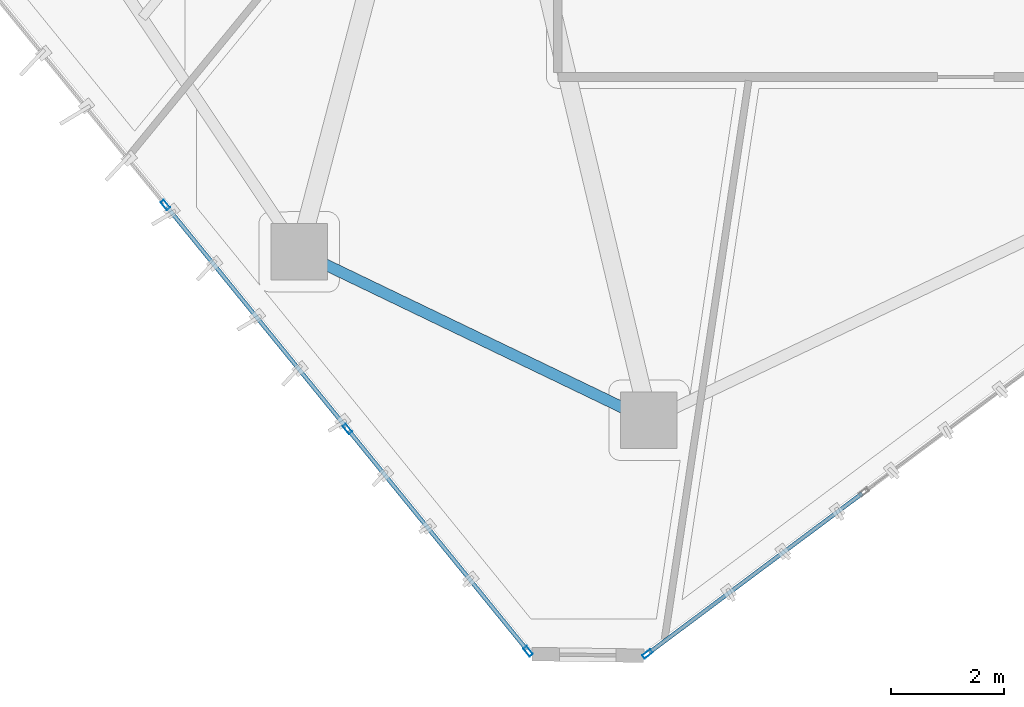
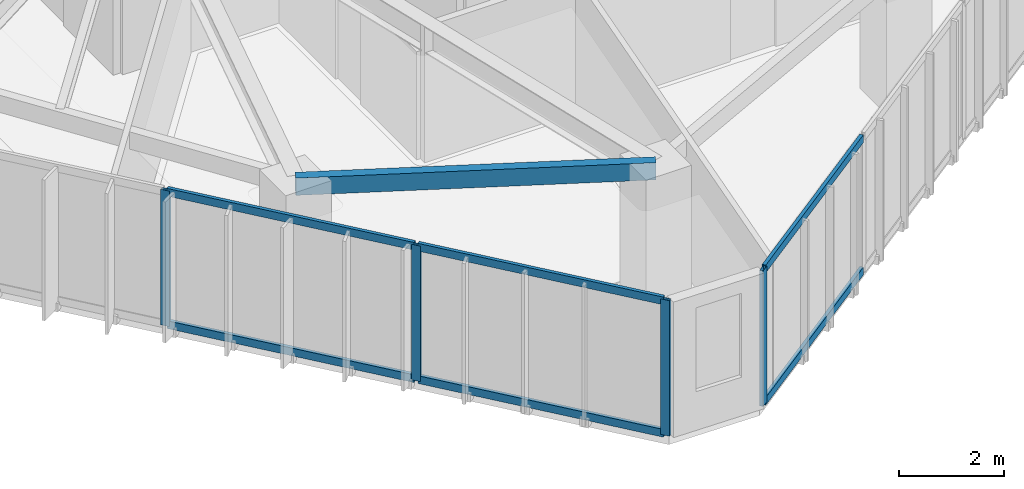
# One storey, part 2 of 20: 10 members, 1 beam, 2 elements without a shape of their own.
"""IFC4 building model written with IfcOpenShell, lengths in metres."""

from ifc_helpers import new_model, si_unit, direction, frame, origin, origin_2d, place, context, subcontext, project, spatial, hollow_rectangle, extrude, source, transform, mapped, material, layer, layer_set, material_profile, profile_set, type_object, type_shapes, element, aggregate, save


model = new_model("IFC4")

# Units and contexts
model_context = context("Model", 3, precision=1e-05, world=origin(), true_north=direction((0.0, 1.0)))
body_context = subcontext(model_context, "Body", "Model", "MODEL_VIEW")
ifc_project = project(units=[si_unit("LENGTHUNIT", "METRE"), si_unit("AREAUNIT", "SQUARE_METRE"), si_unit("VOLUMEUNIT", "CUBIC_METRE"), si_unit("PLANEANGLEUNIT", "RADIAN"), si_unit("MASSUNIT", "GRAM", prefix="KILO")], contexts=[model_context])

# Site, building, storey
site_placement = place(None, origin())
site = spatial("IfcSite", under=ifc_project, at=site_placement, CompositionType="ELEMENT")
building_placement = place(site_placement, origin())
building = spatial("IfcBuilding", under=site, at=building_placement, Name="Talar Marvaseh", CompositionType="ELEMENT")
storey_placement = place(building_placement, frame((0.0, 0.0, 198.5)))
storey = spatial("IfcBuildingStorey", under=building, at=storey_placement, Name="L52", CompositionType="ELEMENT", Elevation=198.5)

# Beam
ifc_material_1 = material(Name="Steel S355", Category="steel")
ifc_material_profile_1 = material_profile(ifc_material_1, hollow_rectangle(XDim=0.199951171875, YDim=0.39990234375, WallThickness=0.013916015625, at=origin_2d()), Name="RHS400x200x14")
ifc_profile_set_1 = profile_set([ifc_material_profile_1], Name="Steel S355")
beam_type = type_object("IfcBeamType", Name="Zone 3 Perimeter Spandrel Beam RHS400x200x14", PredefinedType="SPANDREL", material=ifc_profile_set_1)
beam_placement = place(storey_placement, frame((22.014892578125, 11.51904296875, 2.949951171875), z_axis=(-0.901071562993, 0.433670425975, 0.0), x_axis=(-0.433670425975, -0.901071562993, 0.0)))
element("IfcBeam", 1, at=beam_placement, inside=storey, type_object=beam_type, Name="L52 Zone 3 Perimeter Spandrel Beam RHS400x200x14", PredefinedType="SPANDREL", context=body_context, shape_type="SweptSolid", body=[
    extrude(hollow_rectangle(XDim=0.199951171875, YDim=0.39990234375, WallThickness=0.013916015625, at=origin_2d()), origin(), (0.0, 0.0, 1.0), 6.8759765625),
])

# Curtain wall, members
ifc_material_2 = material(Name="Architectural Aluminium", Category="aluminium")
ifc_layer = layer(ifc_material_2, 0.18994140625)
ifc_layer_set = layer_set([ifc_layer], Name="Architectural Aluminium")
curtain_wall_type = type_object("IfcCurtainWallType", Name="Unitised Solar Atelier Curtain Wall Z3", PredefinedType="NOTDEFINED", material=ifc_layer_set)
curtain_wall_1_placement = place(storey_placement, origin())
curtain_wall_1 = element("IfcCurtainWall", 2, at=curtain_wall_1_placement, inside=storey, type_object=curtain_wall_type, Name="L52 Unitised Solar Atelier Curtain Wall Z3", PredefinedType="NOTDEFINED")
ifc_material_profile_2 = material_profile(ifc_material_2, hollow_rectangle(XDim=0.074951171875, YDim=0.179931640625, WallThickness=0.0048828125, at=origin_2d()), Name="RHS180x75x5")
ifc_profile_set_2 = profile_set([ifc_material_profile_2], Name="Architectural Aluminium")
member_type_1 = type_object("IfcMemberType", Name="Unitised Curtain Wall Transom RHS180x75x5", PredefinedType="USERDEFINED", material=ifc_profile_set_2)
shared_shape_1 = source(origin(), body_context, "Body", "SweptSolid", [
    extrude(hollow_rectangle(XDim=0.074951171875, YDim=0.179931640625, WallThickness=0.0048828125, at=origin_2d()), origin(), (0.0, 0.0, 1.0), 5.0380859375),
])
member_1_placement = place(storey_placement, frame((16.650634765625, 11.3955078125, 0.03759765625), z_axis=(-0.630645529464, 0.776071012322, 0.0), x_axis=(-0.776071012322, -0.630645529464, 0.0)))
member_1 = element("IfcMember", 3, at=member_1_placement, type_object=member_type_1, Name="CW-Z3 transom 2.1", ObjectType="TRANSOM", PredefinedType="USERDEFINED", context=body_context, shape_type="MappedRepresentation", body=[
    mapped(shared_shape_1, transform((0.0, 0.0, 0.0), x_axis=(1.0, 0.0, 0.0), y_axis=(0.0, 1.0, 0.0), z_axis=(0.0, 0.0, 1.0), scale=1.0)),
])
member_2_placement = place(storey_placement, frame((16.650634765625, 11.3955078125, 3.112548828125), z_axis=(-0.630645529464, 0.776071012322, 0.0), x_axis=(-0.776071012322, -0.630645529464, 0.0)))
member_2 = element("IfcMember", 4, at=member_2_placement, type_object=member_type_1, Name="CW-Z3 transom 2.2", ObjectType="TRANSOM", PredefinedType="USERDEFINED", context=body_context, shape_type="MappedRepresentation", body=[
    mapped(shared_shape_1, transform((0.0, 0.0, 0.0), x_axis=(1.0, 0.0, 0.0), y_axis=(0.0, 1.0, 0.0), z_axis=(0.0, 0.0, 1.0), scale=1.0)),
])
shared_shape_2 = source(origin(), body_context, "Body", "SweptSolid", [
    extrude(hollow_rectangle(XDim=0.074951171875, YDim=0.179931640625, WallThickness=0.0048828125, at=origin_2d()), origin(), (0.0, 0.0, 1.0), 5.00048828125),
])
member_3_placement = place(storey_placement, frame((19.851318359375, 7.45654296875, 0.03759765625), z_axis=(-0.630636736396, 0.776078157603, 0.0), x_axis=(-0.776078157603, -0.630636736396, 0.0)))
member_3 = element("IfcMember", 5, at=member_3_placement, type_object=member_type_1, Name="CW-Z3 transom 1.1", ObjectType="TRANSOM", PredefinedType="USERDEFINED", context=body_context, shape_type="MappedRepresentation", body=[
    mapped(shared_shape_2, transform((0.0, 0.0, 0.0), x_axis=(1.0, 0.0, 0.0), y_axis=(0.0, 1.0, 0.0), z_axis=(0.0, 0.0, 1.0), scale=1.0)),
])
member_4_placement = place(storey_placement, frame((19.851318359375, 7.45654296875, 3.112548828125), z_axis=(-0.630636736396, 0.776078157603, 0.0), x_axis=(-0.776078157603, -0.630636736396, 0.0)))
member_4 = element("IfcMember", 6, at=member_4_placement, type_object=member_type_1, Name="CW-Z3 transom 1.2", ObjectType="TRANSOM", PredefinedType="USERDEFINED", context=body_context, shape_type="MappedRepresentation", body=[
    mapped(shared_shape_2, transform((0.0, 0.0, 0.0), x_axis=(1.0, 0.0, 0.0), y_axis=(0.0, 1.0, 0.0), z_axis=(0.0, 0.0, 1.0), scale=1.0)),
])

curtain_wall_2_placement = place(storey_placement, origin())
curtain_wall_2 = element("IfcCurtainWall", 7, at=curtain_wall_2_placement, inside=storey, type_object=curtain_wall_type, Name="L52 Unitised Solar Atelier Curtain Wall Z3", PredefinedType="NOTDEFINED")
shared_shape_3 = source(origin(), body_context, "Body", "SweptSolid", [
    extrude(hollow_rectangle(XDim=0.074951171875, YDim=0.179931640625, WallThickness=0.0048828125, at=origin_2d()), origin(), (0.0, 0.0, 1.0), 4.70947265625),
])
type_shapes(member_type_1, [shared_shape_1, shared_shape_2, shared_shape_3])
member_5_placement = place(storey_placement, frame((25.791748046875, 10.222900390625, 0.03759765625), z_axis=(-0.801130754836, -0.598489359685, 0.0), x_axis=(0.598489359685, -0.801130754836, 0.0)))
member_5 = element("IfcMember", 8, at=member_5_placement, type_object=member_type_1, Name="CW-Z3 transom 4.1", ObjectType="TRANSOM", PredefinedType="USERDEFINED", context=body_context, shape_type="MappedRepresentation", body=[
    mapped(shared_shape_3, transform((0.0, 0.0, 0.0), x_axis=(1.0, 0.0, 0.0), y_axis=(0.0, 1.0, 0.0), z_axis=(0.0, 0.0, 1.0), scale=1.0)),
])
member_6_placement = place(storey_placement, frame((25.791748046875, 10.222900390625, 3.112548828125), z_axis=(-0.801130754836, -0.598489359685, 0.0), x_axis=(0.598489359685, -0.801130754836, 0.0)))
member_6 = element("IfcMember", 9, at=member_6_placement, type_object=member_type_1, Name="CW-Z3 transom 4.2", ObjectType="TRANSOM", PredefinedType="USERDEFINED", context=body_context, shape_type="MappedRepresentation", body=[
    mapped(shared_shape_3, transform((0.0, 0.0, 0.0), x_axis=(1.0, 0.0, 0.0), y_axis=(0.0, 1.0, 0.0), z_axis=(0.0, 0.0, 1.0), scale=1.0)),
])

# Member
ifc_material_profile_3 = material_profile(ifc_material_2, hollow_rectangle(XDim=0.074951171875, YDim=0.179931640625, WallThickness=0.0048828125, at=origin_2d()), Name="RHS180x75x5")
ifc_profile_set_3 = profile_set([ifc_material_profile_3], Name="Architectural Aluminium")
member_type_2 = type_object("IfcMemberType", Name="Unitised Curtain Wall Standard Mullion RHS180x75x5", PredefinedType="MULLION", material=ifc_profile_set_3)
shared_shape_4 = source(origin(), body_context, "Body", "SweptSolid", [
    extrude(hollow_rectangle(XDim=0.074951171875, YDim=0.179931640625, WallThickness=0.0048828125, at=origin_2d()), origin(), (0.0, 0.0, 1.0), 3.14990234375),
])
type_shapes(member_type_2, [shared_shape_4])
member_7_placement = place(storey_placement, frame((19.875, 7.427490234375, 0.0), z_axis=(0.0, 0.0, 1.0), x_axis=(-0.776086081319, -0.630626985138, 0.0)))
member_7 = element("IfcMember", 10, at=member_7_placement, type_object=member_type_2, Name="CW-Z3 mullion 1", PredefinedType="MULLION", context=body_context, shape_type="MappedRepresentation", body=[
    mapped(shared_shape_4, transform((0.0, 0.0, 0.0), x_axis=(1.0, 0.0, 0.0), y_axis=(0.0, 1.0, 0.0), z_axis=(0.0, 0.0, 1.0), scale=1.0)),
])

member_8_placement = place(storey_placement, frame((16.67431640625, 11.366455078125, 0.0), z_axis=(0.0, 0.0, 1.0), x_axis=(-0.776086081319, -0.630626985138, 0.0)))
member_8 = element("IfcMember", 11, at=member_8_placement, type_object=member_type_2, Name="CW-Z3 mullion 2", PredefinedType="MULLION", context=body_context, shape_type="MappedRepresentation", body=[
    mapped(shared_shape_4, transform((0.0, 0.0, 0.0), x_axis=(1.0, 0.0, 0.0), y_axis=(0.0, 1.0, 0.0), z_axis=(0.0, 0.0, 1.0), scale=1.0)),
])

member_9_placement = place(storey_placement, frame((13.44970703125, 15.33447265625, 0.0), z_axis=(0.0, 0.0, 1.0), x_axis=(-0.776086081319, -0.630626985138, 0.0)))
member_9 = element("IfcMember", 12, at=member_9_placement, type_object=member_type_2, Name="CW-Z3 mullion 3", PredefinedType="MULLION", context=body_context, shape_type="MappedRepresentation", body=[
    mapped(shared_shape_4, transform((0.0, 0.0, 0.0), x_axis=(1.0, 0.0, 0.0), y_axis=(0.0, 1.0, 0.0), z_axis=(0.0, 0.0, 1.0), scale=1.0)),
])

aggregate(curtain_wall_1, [member_7, member_8, member_9, member_3, member_4, member_1, member_2])

member_10_placement = place(storey_placement, frame((21.988525390625, 7.3818359375, 0.0), z_axis=(0.0, 0.0, 1.0), x_axis=(0.598447667514, -0.801161899523, 0.0)))
member_10 = element("IfcMember", 13, at=member_10_placement, type_object=member_type_2, Name="CW-Z3 mullion 5", PredefinedType="MULLION", context=body_context, shape_type="MappedRepresentation", body=[
    mapped(shared_shape_4, transform((0.0, 0.0, 0.0), x_axis=(1.0, 0.0, 0.0), y_axis=(0.0, 1.0, 0.0), z_axis=(0.0, 0.0, 1.0), scale=1.0)),
])

aggregate(curtain_wall_2, [member_10, member_5, member_6])

save(model, "model.ifc")
